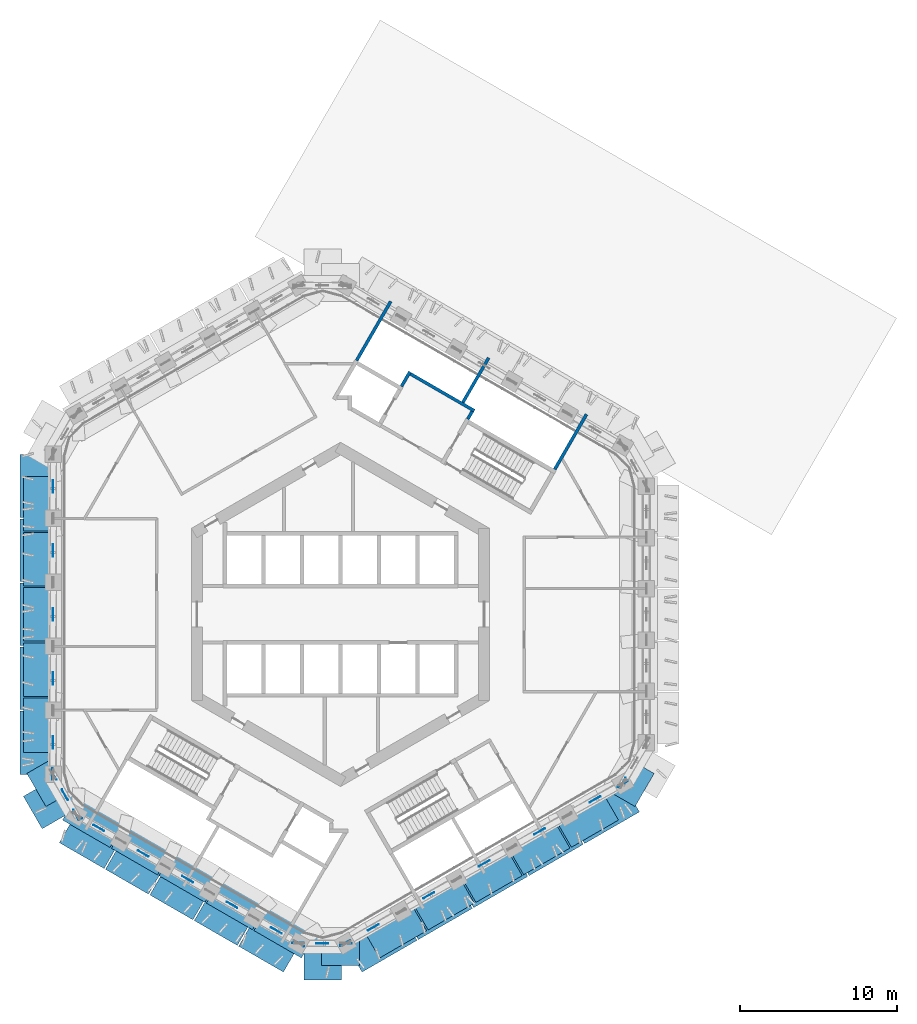
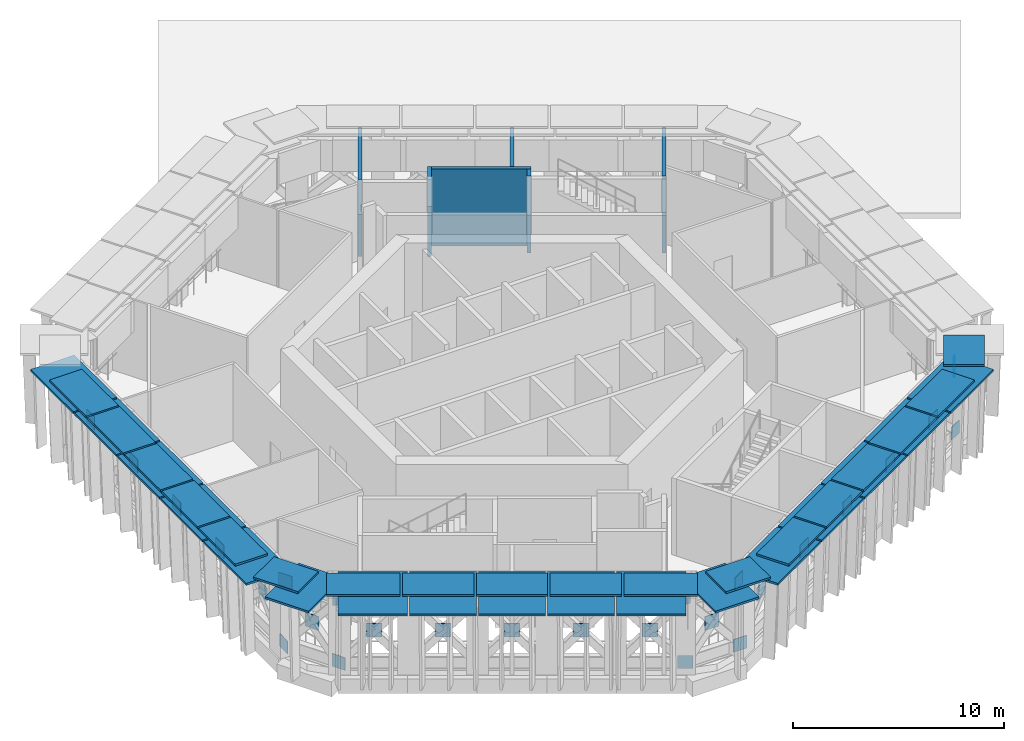
# One storey, part 9 of 18: 62 discrete accessories, 6 walls.
"""IFC4 building model written with IfcOpenShell, lengths in metres."""

from ifc_helpers import new_model, si_unit, direction, frame, frame_2d, origin, origin_2d, place, context, subcontext, project, spatial, rectangle, extrude, material, layer, layer_set, type_object, element, save


model = new_model("IFC4")

# Units and contexts
model_context = context("Model", 3, precision=1e-05, world=origin(), true_north=direction((0.0, 1.0)))
body_context = subcontext(model_context, "Body", "Model", "MODEL_VIEW")
ifc_project = project(units=[si_unit("LENGTHUNIT", "METRE"), si_unit("AREAUNIT", "SQUARE_METRE"), si_unit("VOLUMEUNIT", "CUBIC_METRE"), si_unit("PLANEANGLEUNIT", "RADIAN"), si_unit("MASSUNIT", "GRAM", prefix="KILO")], contexts=[model_context])

# Site, building, storey
site_placement = place(None, origin())
site = spatial("IfcSite", under=ifc_project, at=site_placement, CompositionType="ELEMENT")
building_placement = place(site_placement, origin())
building = spatial("IfcBuilding", under=site, at=building_placement, Name="Ayvan Gate Tower", CompositionType="ELEMENT")
storey_placement = place(building_placement, frame((0.0, 0.0, 147.89990234375)))
storey = spatial("IfcBuildingStorey", under=building, at=storey_placement, Name="L39", CompositionType="ELEMENT", Elevation=147.89990234375)

# Walls
ifc_material_1 = material(Name="Plasterboard on steel stud", Category="steel")
ifc_layer_1 = layer(ifc_material_1, 0.199951171875)
ifc_layer_set_1 = layer_set([ifc_layer_1], Name="Plasterboard on steel stud")
wall_type = type_object("IfcWallType", Name="WT-PLUMB-200", PredefinedType="PLUMBINGWALL", material=ifc_layer_set_1)
wall_1_placement = place(storey_placement, frame((1.027099609375, 16.178955078125, 0.0), z_axis=(0.0, 0.0, 1.0), x_axis=(0.500013916395, 0.866017369001, 0.0)))
element("IfcWall", 1, at=wall_1_placement, inside=storey, type_object=wall_type, Name="IW-L39-053", PredefinedType="PLUMBINGWALL", context=body_context, shape_type="SweptSolid", body=[
    extrude(rectangle(XDim=4.3505859375, YDim=0.199951171875, at=frame_2d((2.17529296875, 0.0))), origin(), (0.0, 0.0, 1.0), 4.4501953125),
])
wall_2_placement = place(storey_placement, frame((3.885009765625, 14.52880859375, 0.0), z_axis=(0.0, 0.0, 1.0), x_axis=(0.499997628298, 0.866026773083, 0.0)))
element("IfcWall", 2, at=wall_2_placement, inside=storey, type_object=wall_type, Name="IW-L39-062", PredefinedType="PLUMBINGWALL", context=body_context, shape_type="SweptSolid", body=[
    extrude(rectangle(XDim=1.0751953125, YDim=0.199951171875, at=frame_2d((0.53759765625, 0.0))), origin(), (0.0, 0.0, 1.0), 4.4501953125),
])
wall_3_placement = place(storey_placement, frame((4.458984375, 15.323486328125, 0.0), z_axis=(0.0, 0.0, 1.0), x_axis=(0.866016039709, -0.500016218704, 0.0)))
element("IfcWall", 3, at=wall_3_placement, inside=storey, type_object=wall_type, Name="IW-L39-063", PredefinedType="PLUMBINGWALL", context=body_context, shape_type="SweptSolid", body=[
    extrude(rectangle(XDim=4.699951171875, YDim=0.199951171875, at=frame_2d((2.35009765625, 0.0))), origin(), (0.0, 0.0, 1.0), 4.4501953125),
])
wall_4_placement = place(storey_placement, frame((7.800048828125, 13.510009765625, 0.0), z_axis=(0.0, 0.0, 1.0), x_axis=(0.499986987217, 0.866032916588, 0.0)))
element("IfcWall", 4, at=wall_4_placement, inside=storey, type_object=wall_type, Name="IW-L39-076", PredefinedType="PLUMBINGWALL", context=body_context, shape_type="SweptSolid", body=[
    extrude(rectangle(XDim=3.275390625, YDim=0.199951171875, at=frame_2d((1.6376953125, 0.0))), origin(), (0.0, 0.0, 1.0), 4.4501953125),
])
wall_5_placement = place(storey_placement, frame((8.392822265625, 12.936767578125, 0.0), z_axis=(0.0, 0.0, 1.0), x_axis=(-0.500065409566, -0.86598763626, 0.0)))
element("IfcWall", 5, at=wall_5_placement, inside=storey, type_object=wall_type, Name="IW-L39-078", PredefinedType="PLUMBINGWALL", context=body_context, shape_type="SweptSolid", body=[
    extrude(rectangle(XDim=0.5751953125, YDim=0.199951171875, at=frame_2d((0.28759765625, 0.0))), origin(), (0.0, 0.0, 1.0), 4.4501953125),
])
wall_6_placement = place(storey_placement, frame((13.64794921875, 9.23876953125, 0.0), z_axis=(0.0, 0.0, 1.0), x_axis=(0.499983333749, 0.866035025835, 0.0)))
element("IfcWall", 6, at=wall_6_placement, inside=storey, type_object=wall_type, Name="IW-L39-089", PredefinedType="PLUMBINGWALL", context=body_context, shape_type="SweptSolid", body=[
    extrude(rectangle(XDim=4.050537109375, YDim=0.199951171875, at=frame_2d((2.025390625, 0.0))), origin(), (0.0, 0.0, 1.0), 4.4501953125),
])

# Discrete accessories
ifc_material_2 = material(Name="Stainless steel 316", Category="steel")
ifc_layer_2 = layer(ifc_material_2, 0.1201171875)
ifc_layer_set_2 = layer_set([ifc_layer_2], Name="Stainless steel 316")
discrete_accessory_type_1 = type_object("IfcDiscreteAccessoryType", Name="Fin carrier bracket", PredefinedType="BRACKET", material=ifc_layer_set_2)
discrete_accessory_1_placement = place(storey_placement, frame((-19.3203125, -7.0576171875, 4.679931640625), z_axis=(0.0, 0.0, 1.0), x_axis=(0.0, -1.0, 0.0)))
element("IfcDiscreteAccessory", 7, at=discrete_accessory_1_placement, inside=storey, type_object=discrete_accessory_type_1, Name="Fin carrier 90", PredefinedType="BRACKET", context=body_context, shape_type="SweptSolid", body=[
    extrude(rectangle(XDim=3.46240234375, YDim=1.767333984375, at=origin_2d()), origin(), (0.0, 0.0, 1.0), 0.1201171875),
])
for number, where, z_axis, x_axis, name in (
    (8, (-19.3203125, -3.514404296875, 4.679931640625), (0.0, 0.0, 1.0), (0.0, -1.0, 0.0), "Fin carrier 91"),
    (9, (-19.3203125, -0.000244140625, 4.679931640625), (0.0, 0.0, 1.0), (0.0, -1.0, 0.0), "Fin carrier 92"),
    (10, (-19.3203125, 3.513671875, 4.679931640625), (0.0, 0.0, 1.0), (0.0, -1.0, 0.0), "Fin carrier 93"),
):
    element("IfcDiscreteAccessory", number, at=place(storey_placement, frame(where, z_axis=z_axis, x_axis=x_axis)), inside=storey, type_object=discrete_accessory_type_1, Name=name, PredefinedType="BRACKET", context=body_context, shape_type="SweptSolid", body=[
        extrude(rectangle(XDim=3.404052734375, YDim=1.767333984375, at=origin_2d()), origin(), (0.0, 0.0, 1.0), 0.1201171875),
    ])
discrete_accessory_2_placement = place(storey_placement, frame((-19.3203125, 7.05712890625, 4.679931640625), z_axis=(0.0, 0.0, 1.0), x_axis=(0.0, -1.0, 0.0)))
element("IfcDiscreteAccessory", 11, at=discrete_accessory_2_placement, inside=storey, type_object=discrete_accessory_type_1, Name="Fin carrier 94", PredefinedType="BRACKET", context=body_context, shape_type="SweptSolid", body=[
    extrude(rectangle(XDim=3.462890625, YDim=1.767333984375, at=origin_2d()), origin(), (0.0, 0.0, 1.0), 0.1201171875),
])
discrete_accessory_3_placement = place(storey_placement, frame((-18.534423828125, -10.70068359375, 4.679931640625), z_axis=(0.0, 0.0, 1.0), x_axis=(0.5, -0.866025403784, 0.0)))
element("IfcDiscreteAccessory", 12, at=discrete_accessory_3_placement, inside=storey, type_object=discrete_accessory_type_1, Name="Fin carrier 125", PredefinedType="BRACKET", context=body_context, shape_type="SweptSolid", body=[
    extrude(rectangle(XDim=2.4345703125, YDim=1.946044921875, at=origin_2d()), origin(), (0.0, 0.0, 1.0), 0.1201171875),
])
discrete_accessory_4_placement = place(storey_placement, frame((-15.7587890625, -13.210693359375, 4.679931640625), z_axis=(0.0, 0.0, 1.0), x_axis=(0.866025403784, -0.5, 0.0)))
element("IfcDiscreteAccessory", 13, at=discrete_accessory_4_placement, inside=storey, type_object=discrete_accessory_type_1, Name="Fin carrier 220", PredefinedType="BRACKET", context=body_context, shape_type="SweptSolid", body=[
    extrude(rectangle(XDim=3.492919921875, YDim=1.767333984375, at=origin_2d()), origin(), (0.0, 0.0, 1.0), 0.1201171875),
])
discrete_accessory_5_placement = place(storey_placement, frame((-12.685791015625, -14.98486328125, 4.679931640625), z_axis=(0.0, 0.0, 1.0), x_axis=(0.866025403784, -0.5, 0.0)))
element("IfcDiscreteAccessory", 14, at=discrete_accessory_5_placement, inside=storey, type_object=discrete_accessory_type_1, Name="Fin carrier 281", PredefinedType="BRACKET", context=body_context, shape_type="SweptSolid", body=[
    extrude(rectangle(XDim=3.384033203125, YDim=1.767333984375, at=origin_2d()), origin(), (0.0, 0.0, 1.0), 0.1201171875),
])
discrete_accessory_6_placement = place(storey_placement, frame((-9.66015625, -16.731689453125, 4.679931640625), z_axis=(0.0, 0.0, 1.0), x_axis=(0.866025403784, -0.5, 0.0)))
element("IfcDiscreteAccessory", 15, at=discrete_accessory_6_placement, inside=storey, type_object=discrete_accessory_type_1, Name="Fin carrier 346", PredefinedType="BRACKET", context=body_context, shape_type="SweptSolid", body=[
    extrude(rectangle(XDim=3.383056640625, YDim=1.767333984375, at=origin_2d()), origin(), (0.0, 0.0, 1.0), 0.1201171875),
])
discrete_accessory_7_placement = place(storey_placement, frame((-6.634765625, -18.478515625, 4.679931640625), z_axis=(0.0, 0.0, 1.0), x_axis=(0.866025403784, -0.5, 0.0)))
element("IfcDiscreteAccessory", 16, at=discrete_accessory_7_placement, inside=storey, type_object=discrete_accessory_type_1, Name="Fin carrier 409", PredefinedType="BRACKET", context=body_context, shape_type="SweptSolid", body=[
    extrude(rectangle(XDim=3.384033203125, YDim=1.767333984375, at=origin_2d()), origin(), (0.0, 0.0, 1.0), 0.1201171875),
])
discrete_accessory_8_placement = place(storey_placement, frame((-3.5615234375, -20.252685546875, 4.679931640625), z_axis=(0.0, 0.0, 1.0), x_axis=(0.866025403784, -0.5, 0.0)))
element("IfcDiscreteAccessory", 17, at=discrete_accessory_8_placement, inside=storey, type_object=discrete_accessory_type_1, Name="Fin carrier 468", PredefinedType="BRACKET", context=body_context, shape_type="SweptSolid", body=[
    extrude(rectangle(XDim=3.493408203125, YDim=1.767333984375, at=origin_2d()), origin(), (0.0, 0.0, 1.0), 0.1201171875),
])
discrete_accessory_9_placement = place(storey_placement, frame((0.0, -21.401611328125, 4.679931640625), z_axis=(0.0, 0.0, 1.0), x_axis=(1.0, 0.0, 0.0)))
element("IfcDiscreteAccessory", 18, at=discrete_accessory_9_placement, inside=storey, type_object=discrete_accessory_type_1, Name="Fin carrier 529", PredefinedType="BRACKET", context=body_context, shape_type="SweptSolid", body=[
    extrude(rectangle(XDim=2.4345703125, YDim=1.946044921875, at=origin_2d()), origin(), (0.0, 0.0, 1.0), 0.1201171875),
])
discrete_accessory_10_placement = place(storey_placement, frame((3.54833984375, -20.26025390625, 4.679931640625), z_axis=(0.0, 0.0, 1.0), x_axis=(0.866025403784, 0.5, 0.0)))
element("IfcDiscreteAccessory", 19, at=discrete_accessory_10_placement, inside=storey, type_object=discrete_accessory_type_1, Name="Fin carrier 594", PredefinedType="BRACKET", context=body_context, shape_type="SweptSolid", body=[
    extrude(rectangle(XDim=3.462890625, YDim=1.767333984375, at=origin_2d()), origin(), (0.0, 0.0, 1.0), 0.1201171875),
])
for number, where, z_axis, x_axis, name in (
    (20, (6.6171875, -18.488525390625, 4.679931640625), (0.0, 0.0, 1.0), (0.866025403784, 0.5, 0.0), "Fin carrier 643"),
    (21, (9.660400390625, -16.731689453125, 4.679931640625), (0.0, 0.0, 1.0), (0.866025403784, 0.5, 0.0), "Fin carrier 696"),
    (22, (12.70361328125, -14.974609375, 4.679931640625), (0.0, 0.0, 1.0), (0.866025403784, 0.5, 0.0), "Fin carrier 749"),
):
    element("IfcDiscreteAccessory", number, at=place(storey_placement, frame(where, z_axis=z_axis, x_axis=x_axis)), inside=storey, type_object=discrete_accessory_type_1, Name=name, PredefinedType="BRACKET", context=body_context, shape_type="SweptSolid", body=[
        extrude(rectangle(XDim=3.404052734375, YDim=1.767333984375, at=origin_2d()), origin(), (0.0, 0.0, 1.0), 0.1201171875),
    ])
discrete_accessory_11_placement = place(storey_placement, frame((15.77197265625, -13.203125, 4.679931640625), z_axis=(0.0, 0.0, 1.0), x_axis=(0.866025403784, 0.5, 0.0)))
element("IfcDiscreteAccessory", 23, at=discrete_accessory_11_placement, inside=storey, type_object=discrete_accessory_type_1, Name="Fin carrier 791", PredefinedType="BRACKET", context=body_context, shape_type="SweptSolid", body=[
    extrude(rectangle(XDim=3.46240234375, YDim=1.767333984375, at=origin_2d()), origin(), (0.0, 0.0, 1.0), 0.1201171875),
])
discrete_accessory_12_placement = place(storey_placement, frame((18.534423828125, -10.70068359375, 4.679931640625), z_axis=(0.0, 0.0, 1.0), x_axis=(0.5, 0.866025403784, 0.0)))
element("IfcDiscreteAccessory", 24, at=discrete_accessory_12_placement, inside=storey, type_object=discrete_accessory_type_1, Name="Fin carrier 894", PredefinedType="BRACKET", context=body_context, shape_type="SweptSolid", body=[
    extrude(rectangle(XDim=2.4345703125, YDim=1.946044921875, at=origin_2d()), origin(), (0.0, 0.0, 1.0), 0.1201171875),
])
discrete_accessory_13_placement = place(storey_placement, frame((-19.229248046875, -8.1845703125, 4.5), z_axis=(0.0, 0.0, 1.0), x_axis=(0.0, -1.0, 0.0)))
element("IfcDiscreteAccessory", 25, at=discrete_accessory_13_placement, inside=storey, type_object=discrete_accessory_type_1, Name="Fin carrier 1036", PredefinedType="BRACKET", context=body_context, shape_type="SweptSolid", body=[
    extrude(rectangle(XDim=4.03759765625, YDim=2.38525390625, at=origin_2d()), origin(), (0.0, 0.0, 1.0), 0.1201171875),
])
for number, where, z_axis, x_axis, name in (
    (26, (-19.229248046875, -4.0771484375, 4.5), (0.0, 0.0, 1.0), (0.0, -1.0, 0.0), "Fin carrier 1037"),
    (27, (-19.229248046875, -0.000244140625, 4.5), (0.0, 0.0, 1.0), (0.0, -1.0, 0.0), "Fin carrier 1038"),
):
    element("IfcDiscreteAccessory", number, at=place(storey_placement, frame(where, z_axis=z_axis, x_axis=x_axis)), inside=storey, type_object=discrete_accessory_type_1, Name=name, PredefinedType="BRACKET", context=body_context, shape_type="SweptSolid", body=[
        extrude(rectangle(XDim=3.97705078125, YDim=2.38525390625, at=origin_2d()), origin(), (0.0, 0.0, 1.0), 0.1201171875),
    ])
discrete_accessory_14_placement = place(storey_placement, frame((-19.229248046875, 4.0771484375, 4.5), z_axis=(0.0, 0.0, 1.0), x_axis=(0.0, -1.0, 0.0)))
element("IfcDiscreteAccessory", 28, at=discrete_accessory_14_placement, inside=storey, type_object=discrete_accessory_type_1, Name="Fin carrier 1039", PredefinedType="BRACKET", context=body_context, shape_type="SweptSolid", body=[
    extrude(rectangle(XDim=3.97802734375, YDim=2.38525390625, at=origin_2d()), origin(), (0.0, 0.0, 1.0), 0.1201171875),
])
discrete_accessory_15_placement = place(storey_placement, frame((-19.229248046875, 8.184814453125, 4.5), z_axis=(0.0, 0.0, 1.0), x_axis=(0.0, -1.0, 0.0)))
element("IfcDiscreteAccessory", 29, at=discrete_accessory_15_placement, inside=storey, type_object=discrete_accessory_type_1, Name="Fin carrier 1040", PredefinedType="BRACKET", context=body_context, shape_type="SweptSolid", body=[
    extrude(rectangle(XDim=4.037109375, YDim=2.38525390625, at=origin_2d()), origin(), (0.0, 0.0, 1.0), 0.1201171875),
])
discrete_accessory_16_placement = place(storey_placement, frame((-18.216796875, -11.823486328125, 4.5), z_axis=(0.0, 0.0, 1.0), x_axis=(0.5, -0.866025403784, 0.0)))
element("IfcDiscreteAccessory", 30, at=discrete_accessory_16_placement, inside=storey, type_object=discrete_accessory_type_1, Name="Fin carrier 1041", PredefinedType="BRACKET", context=body_context, shape_type="SweptSolid", body=[
    extrude(rectangle(XDim=2.386474609375, YDim=3.21044921875, at=origin_2d()), origin(), (0.0, 0.0, 1.0), 0.1201171875),
])
discrete_accessory_17_placement = place(storey_placement, frame((-15.610595703125, -13.84423828125, 4.5), z_axis=(0.0, 0.0, 1.0), x_axis=(0.866025403784, -0.5, 0.0)))
element("IfcDiscreteAccessory", 31, at=discrete_accessory_17_placement, inside=storey, type_object=discrete_accessory_type_1, Name="Fin carrier 1052", PredefinedType="BRACKET", context=body_context, shape_type="SweptSolid", body=[
    extrude(rectangle(XDim=3.2939453125, YDim=3.516357421875, at=origin_2d()), origin(), (0.0, 0.0, 1.0), 0.1201171875),
])
for number, where, z_axis, x_axis, name in (
    (32, (-12.726318359375, -15.50927734375, 4.5), (0.0, 0.0, 1.0), (0.866025403784, -0.5, 0.0), "Fin carrier 1058"),
    (33, (-9.89697265625, -17.142822265625, 4.5), (0.0, 0.0, 1.0), (0.866025403784, -0.5, 0.0), "Fin carrier 1064"),
):
    element("IfcDiscreteAccessory", number, at=place(storey_placement, frame(where, z_axis=z_axis, x_axis=x_axis)), inside=storey, type_object=discrete_accessory_type_1, Name=name, PredefinedType="BRACKET", context=body_context, shape_type="SweptSolid", body=[
        extrude(rectangle(XDim=3.1669921875, YDim=3.516357421875, at=origin_2d()), origin(), (0.0, 0.0, 1.0), 0.1201171875),
    ])
discrete_accessory_18_placement = place(storey_placement, frame((-7.068115234375, -18.776123046875, 4.5), z_axis=(0.0, 0.0, 1.0), x_axis=(0.866025403784, -0.5, 0.0)))
element("IfcDiscreteAccessory", 34, at=discrete_accessory_18_placement, inside=storey, type_object=discrete_accessory_type_1, Name="Fin carrier 1070", PredefinedType="BRACKET", context=body_context, shape_type="SweptSolid", body=[
    extrude(rectangle(XDim=3.166015625, YDim=3.516357421875, at=origin_2d()), origin(), (0.0, 0.0, 1.0), 0.1201171875),
])
discrete_accessory_19_placement = place(storey_placement, frame((-4.18408203125, -20.441162109375, 4.5), z_axis=(0.0, 0.0, 1.0), x_axis=(0.866025403784, -0.5, 0.0)))
element("IfcDiscreteAccessory", 35, at=discrete_accessory_19_placement, inside=storey, type_object=discrete_accessory_type_1, Name="Fin carrier 1075", PredefinedType="BRACKET", context=body_context, shape_type="SweptSolid", body=[
    extrude(rectangle(XDim=3.29443359375, YDim=3.516357421875, at=origin_2d()), origin(), (0.0, 0.0, 1.0), 0.1201171875),
])
discrete_accessory_20_placement = place(storey_placement, frame((-1.131103515625, -21.68798828125, 4.5), z_axis=(0.0, 0.0, 1.0), x_axis=(1.0, 0.0, 0.0)))
element("IfcDiscreteAccessory", 36, at=discrete_accessory_20_placement, inside=storey, type_object=discrete_accessory_type_1, Name="Fin carrier 1081", PredefinedType="BRACKET", context=body_context, shape_type="SweptSolid", body=[
    extrude(rectangle(XDim=2.386474609375, YDim=3.21044921875, at=origin_2d()), origin(), (0.0, 0.0, 1.0), 0.1201171875),
])
discrete_accessory_21_placement = place(storey_placement, frame((2.5263671875, -20.745361328125, 4.5), z_axis=(0.0, 0.0, 1.0), x_axis=(0.866025403784, 0.5, 0.0)))
element("IfcDiscreteAccessory", 37, at=discrete_accessory_21_placement, inside=storey, type_object=discrete_accessory_type_1, Name="Fin carrier 1086", PredefinedType="BRACKET", context=body_context, shape_type="SweptSolid", body=[
    extrude(rectangle(XDim=4.037109375, YDim=2.38525390625, at=origin_2d()), origin(), (0.0, 0.0, 1.0), 0.1201171875),
])
discrete_accessory_22_placement = place(storey_placement, frame((6.08349609375, -18.691650390625, 4.5), z_axis=(0.0, 0.0, 1.0), x_axis=(0.866025403784, 0.5, 0.0)))
element("IfcDiscreteAccessory", 38, at=discrete_accessory_22_placement, inside=storey, type_object=discrete_accessory_type_1, Name="Fin carrier 1094", PredefinedType="BRACKET", context=body_context, shape_type="SweptSolid", body=[
    extrude(rectangle(XDim=3.97802734375, YDim=2.38525390625, at=origin_2d()), origin(), (0.0, 0.0, 1.0), 0.1201171875),
])
for number, where, z_axis, x_axis, name in (
    (39, (9.61474609375, -16.65283203125, 4.5), (0.0, 0.0, 1.0), (0.866025403784, 0.5, 0.0), "Fin carrier 1100"),
    (40, (13.1455078125, -14.6142578125, 4.5), (0.0, 0.0, 1.0), (0.866025403784, 0.5, 0.0), "Fin carrier 1106"),
):
    element("IfcDiscreteAccessory", number, at=place(storey_placement, frame(where, z_axis=z_axis, x_axis=x_axis)), inside=storey, type_object=discrete_accessory_type_1, Name=name, PredefinedType="BRACKET", context=body_context, shape_type="SweptSolid", body=[
        extrude(rectangle(XDim=3.97705078125, YDim=2.38525390625, at=origin_2d()), origin(), (0.0, 0.0, 1.0), 0.1201171875),
    ])
discrete_accessory_23_placement = place(storey_placement, frame((16.70263671875, -12.560791015625, 4.5), z_axis=(0.0, 0.0, 1.0), x_axis=(0.866025403784, 0.5, 0.0)))
element("IfcDiscreteAccessory", 41, at=discrete_accessory_23_placement, inside=storey, type_object=discrete_accessory_type_1, Name="Fin carrier 1112", PredefinedType="BRACKET", context=body_context, shape_type="SweptSolid", body=[
    extrude(rectangle(XDim=4.03759765625, YDim=2.38525390625, at=origin_2d()), origin(), (0.0, 0.0, 1.0), 0.1201171875),
])
ifc_material_3 = material(Name="Steel S460ML", Category="steel")
ifc_layer_3 = layer(ifc_material_3, 0.034912109375)
ifc_layer_set_3 = layer_set([ifc_layer_3], Name="Steel S460ML")
discrete_accessory_type_2 = type_object("IfcDiscreteAccessoryType", Name="Gusset plate 35 mm", PredefinedType="BRACKET", material=ifc_layer_set_3)
discrete_accessory_24_placement = place(storey_placement, frame((-18.315673828125, 8.15478515625, 1.83447265625), z_axis=(0.0, 0.0, 1.0), x_axis=(0.015511864252, 0.999879683796, 0.0)))
element("IfcDiscreteAccessory", 42, at=discrete_accessory_24_placement, inside=storey, type_object=discrete_accessory_type_2, Name="Gusset plate BT2-DB-19", PredefinedType="BRACKET", context=body_context, shape_type="SweptSolid", body=[
    extrude(rectangle(XDim=0.791259765625, YDim=0.034912109375, at=origin_2d()), origin(), (0.0, 0.0, 1.0), 0.7744140625),
])
discrete_accessory_25_placement = place(storey_placement, frame((-18.315673828125, 4.077392578125, 1.83447265625), z_axis=(0.0, 0.0, 1.0), x_axis=(0.015567708044, 0.99987881589, 0.0)))
element("IfcDiscreteAccessory", 43, at=discrete_accessory_25_placement, inside=storey, type_object=discrete_accessory_type_2, Name="Gusset plate BT2-DB-20", PredefinedType="BRACKET", context=body_context, shape_type="SweptSolid", body=[
    extrude(rectangle(XDim=0.791015625, YDim=0.034912109375, at=origin_2d()), origin(), (0.0, 0.0, 1.0), 0.774658203125),
])
discrete_accessory_26_placement = place(storey_placement, frame((-18.315673828125, 0.0, 1.834228515625), z_axis=(0.0, 0.0, 1.0), x_axis=(0.015623551788, 0.999877944866, 0.0)))
element("IfcDiscreteAccessory", 44, at=discrete_accessory_26_placement, inside=storey, type_object=discrete_accessory_type_2, Name="Gusset plate BT2-DB-21", PredefinedType="BRACKET", context=body_context, shape_type="SweptSolid", body=[
    extrude(rectangle(XDim=0.790771484375, YDim=0.034912109375, at=origin_2d()), origin(), (0.0, 0.0, 1.0), 0.77490234375),
])
discrete_accessory_27_placement = place(storey_placement, frame((-18.315673828125, -4.077392578125, 1.833984375), z_axis=(0.0, 0.0, 1.0), x_axis=(0.015679395483, 0.999877070723, 0.0)))
element("IfcDiscreteAccessory", 45, at=discrete_accessory_27_placement, inside=storey, type_object=discrete_accessory_type_2, Name="Gusset plate BT2-DB-22", PredefinedType="BRACKET", context=body_context, shape_type="SweptSolid", body=[
    extrude(rectangle(XDim=0.79052734375, YDim=0.034912109375, at=origin_2d()), origin(), (0.0, 0.0, 1.0), 0.775390625),
])
discrete_accessory_28_placement = place(storey_placement, frame((-18.347412109375, -10.175048828125, 0.0322265625), z_axis=(0.0, 0.0, 1.0), x_axis=(0.015736984242, 0.999876165996, 0.0)))
element("IfcDiscreteAccessory", 46, at=discrete_accessory_28_placement, inside=storey, type_object=discrete_accessory_type_2, Name="Gusset plate BT2-DB-23", PredefinedType="BRACKET", context=body_context, shape_type="SweptSolid", body=[
    extrude(rectangle(XDim=0.736083984375, YDim=0.034912109375, at=origin_2d()), origin(), (0.0, 0.0, 1.0), 0.736083984375),
])
discrete_accessory_29_placement = place(storey_placement, frame((-18.315673828125, -8.15478515625, 1.833984375), z_axis=(0.0, 0.0, 1.0), x_axis=(0.015736984242, 0.999876165996, 0.0)))
element("IfcDiscreteAccessory", 47, at=discrete_accessory_29_placement, inside=storey, type_object=discrete_accessory_type_2, Name="Gusset plate BT2-DB-23", PredefinedType="BRACKET", context=body_context, shape_type="SweptSolid", body=[
    extrude(rectangle(XDim=0.790283203125, YDim=0.034912109375, at=origin_2d()), origin(), (0.0, 0.0, 1.0), 0.775634765625),
])
discrete_accessory_30_placement = place(storey_placement, frame((-16.847412109375, -12.773193359375, 0.0322265625), z_axis=(0.0, 0.0, 1.0), x_axis=(-0.489113025903, 0.872220412448, 0.0)))
element("IfcDiscreteAccessory", 48, at=discrete_accessory_30_placement, inside=storey, type_object=discrete_accessory_type_2, Name="Gusset plate BT2-DB-24", PredefinedType="BRACKET", context=body_context, shape_type="SweptSolid", body=[
    extrude(rectangle(XDim=0.736083984375, YDim=0.034912109375, at=origin_2d()), origin(), (0.0, 0.0, 1.0), 0.736083984375),
])
discrete_accessory_31_placement = place(storey_placement, frame((-17.565673828125, -11.492431640625, 1.82421875), z_axis=(0.0, 0.0, 1.0), x_axis=(-0.489113025903, 0.872220412448, 0.0)))
element("IfcDiscreteAccessory", 49, at=discrete_accessory_31_placement, inside=storey, type_object=discrete_accessory_type_2, Name="Gusset plate BT2-DB-24", PredefinedType="BRACKET", context=body_context, shape_type="SweptSolid", body=[
    extrude(rectangle(XDim=0.770263671875, YDim=0.034912109375, at=origin_2d()), origin(), (0.0, 0.0, 1.0), 0.802001953125),
])
discrete_accessory_32_placement = place(storey_placement, frame((-15.40087890625, -13.6083984375, 1.83740234375), z_axis=(0.0, 0.0, 1.0), x_axis=(-0.866025403784, 0.5, 0.0)))
element("IfcDiscreteAccessory", 50, at=discrete_accessory_32_placement, inside=storey, type_object=discrete_accessory_type_2, Name="Gusset plate BT2-DB-25", PredefinedType="BRACKET", context=body_context, shape_type="SweptSolid", body=[
    extrude(rectangle(XDim=0.773681640625, YDim=0.034912109375, at=origin_2d()), origin(), (0.0, 0.0, 1.0), 0.7919921875),
])
discrete_accessory_33_placement = place(storey_placement, frame((-12.572021484375, -15.24169921875, 1.837646484375), z_axis=(0.0, 0.0, 1.0), x_axis=(-0.866025403784, 0.5, 0.0)))
element("IfcDiscreteAccessory", 51, at=discrete_accessory_33_placement, inside=storey, type_object=discrete_accessory_type_2, Name="Gusset plate BT2-DB-26", PredefinedType="BRACKET", context=body_context, shape_type="SweptSolid", body=[
    extrude(rectangle(XDim=0.7744140625, YDim=0.034912109375, at=origin_2d()), origin(), (0.0, 0.0, 1.0), 0.79150390625),
])
discrete_accessory_34_placement = place(storey_placement, frame((-9.742919921875, -16.875, 1.837890625), z_axis=(0.0, 0.0, 1.0), x_axis=(-0.866025403784, 0.5, 0.0)))
element("IfcDiscreteAccessory", 52, at=discrete_accessory_34_placement, inside=storey, type_object=discrete_accessory_type_2, Name="Gusset plate BT2-DB-27", PredefinedType="BRACKET", context=body_context, shape_type="SweptSolid", body=[
    extrude(rectangle(XDim=0.77490234375, YDim=0.034912109375, at=origin_2d()), origin(), (0.0, 0.0, 1.0), 0.791015625),
])
discrete_accessory_35_placement = place(storey_placement, frame((-6.913818359375, -18.50830078125, 1.83837890625), z_axis=(0.0, 0.0, 1.0), x_axis=(-0.866025403784, 0.5, 0.0)))
element("IfcDiscreteAccessory", 53, at=discrete_accessory_35_placement, inside=storey, type_object=discrete_accessory_type_2, Name="Gusset plate BT2-DB-28", PredefinedType="BRACKET", context=body_context, shape_type="SweptSolid", body=[
    extrude(rectangle(XDim=0.775634765625, YDim=0.034912109375, at=origin_2d()), origin(), (0.0, 0.0, 1.0), 0.790283203125),
])
discrete_accessory_36_placement = place(storey_placement, frame((-2.63818359375, -20.976806640625, 0.0322265625), z_axis=(0.0, 0.0, 1.0), x_axis=(-0.866025403784, 0.5, 0.0)))
element("IfcDiscreteAccessory", 54, at=discrete_accessory_36_placement, inside=storey, type_object=discrete_accessory_type_2, Name="Gusset plate BT2-DB-29", PredefinedType="BRACKET", context=body_context, shape_type="SweptSolid", body=[
    extrude(rectangle(XDim=0.736083984375, YDim=0.034912109375, at=origin_2d()), origin(), (0.0, 0.0, 1.0), 0.736083984375),
])
discrete_accessory_37_placement = place(storey_placement, frame((-4.084716796875, -20.1416015625, 1.83837890625), z_axis=(0.0, 0.0, 1.0), x_axis=(-0.866025403784, 0.5, 0.0)))
element("IfcDiscreteAccessory", 55, at=discrete_accessory_37_placement, inside=storey, type_object=discrete_accessory_type_2, Name="Gusset plate BT2-DB-29", PredefinedType="BRACKET", context=body_context, shape_type="SweptSolid", body=[
    extrude(rectangle(XDim=0.7763671875, YDim=0.034912109375, at=origin_2d()), origin(), (0.0, 0.0, 1.0), 0.789794921875),
])
discrete_accessory_38_placement = place(storey_placement, frame((0.36181640625, -20.976806640625, 0.0322265625), z_axis=(0.0, 0.0, 1.0), x_axis=(-0.999927927408, 0.012005831486, 0.0)))
element("IfcDiscreteAccessory", 56, at=discrete_accessory_38_placement, inside=storey, type_object=discrete_accessory_type_2, Name="Gusset plate BT2-DB-30", PredefinedType="BRACKET", context=body_context, shape_type="SweptSolid", body=[
    extrude(rectangle(XDim=0.736083984375, YDim=0.034912109375, at=origin_2d()), origin(), (0.0, 0.0, 1.0), 0.736083984375),
])
discrete_accessory_39_placement = place(storey_placement, frame((-1.169921875, -20.95849609375, 1.82568359375), z_axis=(0.0, 0.0, 1.0), x_axis=(-0.999927927408, 0.012005831486, 0.0)))
element("IfcDiscreteAccessory", 57, at=discrete_accessory_39_placement, inside=storey, type_object=discrete_accessory_type_2, Name="Gusset plate BT2-DB-30", PredefinedType="BRACKET", context=body_context, shape_type="SweptSolid", body=[
    extrude(rectangle(XDim=0.773681640625, YDim=0.034912109375, at=origin_2d()), origin(), (0.0, 0.0, 1.0), 0.799072265625),
])
discrete_accessory_40_placement = place(storey_placement, frame((2.095703125, -19.939208984375, 1.83447265625), z_axis=(0.0, 0.0, 1.0), x_axis=(0.873677139021, 0.486506173395, 0.0)))
element("IfcDiscreteAccessory", 58, at=discrete_accessory_40_placement, inside=storey, type_object=discrete_accessory_type_2, Name="Gusset plate BT2-DB-31", PredefinedType="BRACKET", context=body_context, shape_type="SweptSolid", body=[
    extrude(rectangle(XDim=0.791259765625, YDim=0.034912109375, at=origin_2d()), origin(), (0.0, 0.0, 1.0), 0.7744140625),
])
discrete_accessory_41_placement = place(storey_placement, frame((5.626708984375, -17.900390625, 1.83447265625), z_axis=(0.0, 0.0, 1.0), x_axis=(0.873704309289, 0.4864573773, 0.0)))
element("IfcDiscreteAccessory", 59, at=discrete_accessory_41_placement, inside=storey, type_object=discrete_accessory_type_2, Name="Gusset plate BT2-DB-32", PredefinedType="BRACKET", context=body_context, shape_type="SweptSolid", body=[
    extrude(rectangle(XDim=0.791015625, YDim=0.034912109375, at=origin_2d()), origin(), (0.0, 0.0, 1.0), 0.774658203125),
])
discrete_accessory_42_placement = place(storey_placement, frame((9.157958984375, -15.86181640625, 1.834228515625), z_axis=(0.0, 0.0, 1.0), x_axis=(0.873731476832, 0.486408579687, 0.0)))
element("IfcDiscreteAccessory", 60, at=discrete_accessory_42_placement, inside=storey, type_object=discrete_accessory_type_2, Name="Gusset plate BT2-DB-33", PredefinedType="BRACKET", context=body_context, shape_type="SweptSolid", body=[
    extrude(rectangle(XDim=0.790771484375, YDim=0.034912109375, at=origin_2d()), origin(), (0.0, 0.0, 1.0), 0.77490234375),
])
discrete_accessory_43_placement = place(storey_placement, frame((12.68896484375, -13.8232421875, 1.833984375), z_axis=(0.0, 0.0, 1.0), x_axis=(0.873758641649, 0.486359780557, 0.0)))
element("IfcDiscreteAccessory", 61, at=discrete_accessory_43_placement, inside=storey, type_object=discrete_accessory_type_2, Name="Gusset plate BT2-DB-34", PredefinedType="BRACKET", context=body_context, shape_type="SweptSolid", body=[
    extrude(rectangle(XDim=0.79052734375, YDim=0.034912109375, at=origin_2d()), origin(), (0.0, 0.0, 1.0), 0.775390625),
])
discrete_accessory_44_placement = place(storey_placement, frame((17.985595703125, -10.802001953125, 0.0322265625), z_axis=(0.0, 0.0, 1.0), x_axis=(0.873786652512, 0.486309454866, 0.0)))
element("IfcDiscreteAccessory", 62, at=discrete_accessory_44_placement, inside=storey, type_object=discrete_accessory_type_2, Name="Gusset plate BT2-DB-35", PredefinedType="BRACKET", context=body_context, shape_type="SweptSolid", body=[
    extrude(rectangle(XDim=0.736083984375, YDim=0.034912109375, at=origin_2d()), origin(), (0.0, 0.0, 1.0), 0.736083984375),
])
discrete_accessory_45_placement = place(storey_placement, frame((16.219970703125, -11.784423828125, 1.833984375), z_axis=(0.0, 0.0, 1.0), x_axis=(0.873786652512, 0.486309454866, 0.0)))
element("IfcDiscreteAccessory", 63, at=discrete_accessory_45_placement, inside=storey, type_object=discrete_accessory_type_2, Name="Gusset plate BT2-DB-35", PredefinedType="BRACKET", context=body_context, shape_type="SweptSolid", body=[
    extrude(rectangle(XDim=0.790283203125, YDim=0.034912109375, at=origin_2d()), origin(), (0.0, 0.0, 1.0), 0.775634765625),
])
for number, where, z_axis, x_axis, name in (
    (64, (-18.28369140625, -10.2119140625, 3.68212890625), (0.0, 0.0, 1.0), (-0.489113025903, 0.872220412448, 0.0), "Gusset plate BT2-DC-24"),
    (65, (-16.78369140625, -12.809814453125, 3.68212890625), (0.0, 0.0, 1.0), (-0.866025403784, 0.5, 0.0), "Gusset plate BT2-DC-25"),
    (66, (-2.701904296875, -20.940185546875, 3.68212890625), (0.0, 0.0, 1.0), (-0.999927927408, 0.012005831486, 0.0), "Gusset plate BT2-DC-30"),
    (67, (0.298095703125, -20.940185546875, 3.68212890625), (0.0, 0.0, 1.0), (0.873677139021, 0.486506173395, 0.0), "Gusset plate BT2-DC-31"),
    (68, (17.985595703125, -10.728271484375, 3.68212890625), (0.0, 0.0, 1.0), (0.510808521928, 0.859694511978, 0.0), "Gusset plate BT2-DC-36"),
):
    element("IfcDiscreteAccessory", number, at=place(storey_placement, frame(where, z_axis=z_axis, x_axis=x_axis)), inside=storey, type_object=discrete_accessory_type_2, Name=name, PredefinedType="BRACKET", context=body_context, shape_type="SweptSolid", body=[
        extrude(rectangle(XDim=0.736083984375, YDim=0.034912109375, at=origin_2d()), origin(), (0.0, 0.0, 1.0), 0.736083984375),
    ])

save(model, "model.ifc")
